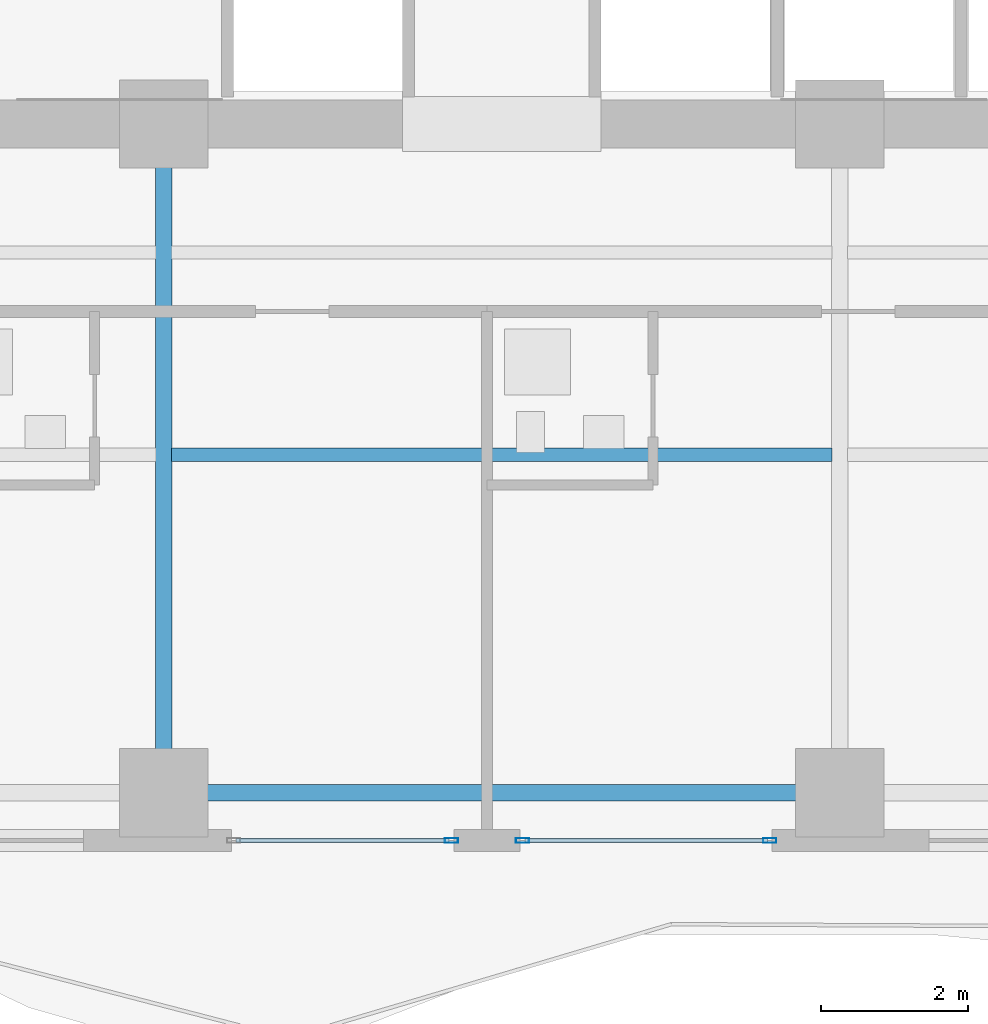
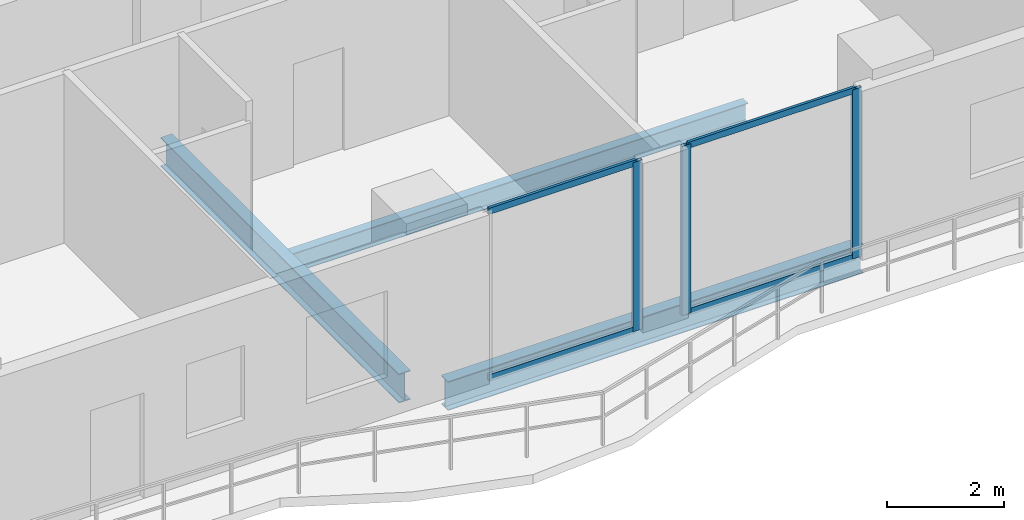
# One storey, part 6 of 33: 7 members, 3 beams, 2 elements without a shape of their own.
"""IFC4 building model written with IfcOpenShell, lengths in metres."""

import ifcopenshell
import ifcopenshell.guid

model = None  # the IFC model being written
_history = None  # IfcOwnerHistory: only IFC2X3 demands one
_inside = {}  # id of a spatial element -> (the spatial element, [elements in it])
_under = {}  # id of a project, library or spatial element -> (it, [spatial elements below it])
_declared = {}  # id of a project -> (the project, [libraries it declares])
_typed = {}  # id of a type object -> (the type object, [elements of that type])
_made_of = {}  # id of a material, layer set ... -> (it, [elements and type objects made of it])


def new_model(schema):
    """Start an empty IFC model of exactly this schema.

    Asked for "IFC4X3", IfcOpenShell would pick the latest addendum, in which some entities
    have other attributes; the version numbers below select the first issue.
    IFC2X3 requires an IfcOwnerHistory on every rooted entity: one is made here for all.
    """
    global model, _history
    if schema == "IFC4X3":
        model = ifcopenshell.file(schema_version=(4, 3, 0, 0))
    else:
        model = ifcopenshell.file(schema=schema)
    _inside.clear()
    _under.clear()
    _declared.clear()
    _typed.clear()
    _made_of.clear()
    _history = None
    if model.schema == "IFC2X3":
        org = make("IfcOrganization", Name="unknown")
        user = make(
            "IfcPersonAndOrganization",
            ThePerson=make("IfcPerson", FamilyName="unknown"),
            TheOrganization=org,
        )
        app = make(
            "IfcApplication",
            ApplicationDeveloper=org,
            Version="unknown",
            ApplicationFullName="unknown",
            ApplicationIdentifier="unknown",
        )
        _history = make(
            "IfcOwnerHistory",
            OwningUser=user,
            OwningApplication=app,
            ChangeAction="ADDED",
            CreationDate=0,
        )
    return model


def make(cls, **values):
    """One entity of the class cls with the attributes given. An attribute that is None is left unset."""
    return model.create_entity(
        cls, **{name: value for name, value in values.items() if value is not None}
    )


def rooted(cls, **values):
    """An entity with a GlobalId (a new one), such as an element, a storey or a relation."""
    return make(cls, GlobalId=ifcopenshell.guid.new(), OwnerHistory=_history, **values)


def si_unit(unit_type, name, prefix=None):
    """IfcSIUnit, for example si_unit("LENGTHUNIT", "METRE", prefix="MILLI")."""
    return make("IfcSIUnit", UnitType=unit_type, Prefix=prefix, Name=name)


def assignment(units):
    """IfcUnitAssignment: the units of a project."""
    return None if units is None else make("IfcUnitAssignment", Units=units)


def point(xyz):
    """IfcCartesianPoint."""
    return None if xyz is None else make("IfcCartesianPoint", Coordinates=xyz)


def direction(xyz):
    """IfcDirection."""
    return None if xyz is None else make("IfcDirection", DirectionRatios=xyz)


def frame(location, z_axis=None, x_axis=None):
    """IfcAxis2Placement3D, a coordinate frame: its origin and axes. An axis left out is left unset."""
    return make(
        "IfcAxis2Placement3D",
        Location=point(location),
        Axis=direction(z_axis),
        RefDirection=direction(x_axis),
    )


def frame_2d(location, x_axis=None):
    """IfcAxis2Placement2D, a coordinate frame in the plane: its origin and x axis."""
    return make(
        "IfcAxis2Placement2D", Location=point(location), RefDirection=direction(x_axis)
    )


def origin():
    """The frame at (0, 0, 0) with its axes left unset."""
    return frame((0.0, 0.0, 0.0))


def origin_2d():
    """The frame at (0, 0) in the plane with its x axis left unset."""
    return frame_2d((0.0, 0.0))


def place(relative_to, where):
    """IfcLocalPlacement: puts the frame where relative to a parent placement (None: the world)."""
    return make(
        "IfcLocalPlacement", PlacementRelTo=relative_to, RelativePlacement=where
    )


def context(
    kind, dimensions, precision=None, world=None, true_north=None, identifier=None
):
    """IfcGeometricRepresentationContext, for example the 3D "Model" context."""
    return make(
        "IfcGeometricRepresentationContext",
        ContextIdentifier=identifier,
        ContextType=kind,
        CoordinateSpaceDimension=dimensions,
        Precision=precision,
        WorldCoordinateSystem=world,
        TrueNorth=true_north,
    )


def subcontext(parent, identifier, kind, view, scale=None):
    """IfcGeometricRepresentationSubContext, for example "Body" below "Model"."""
    return make(
        "IfcGeometricRepresentationSubContext",
        ContextIdentifier=identifier,
        ContextType=kind,
        ParentContext=parent,
        TargetScale=scale,
        TargetView=view,
    )


def project(units=None, contexts=None):
    """IfcProject with its units and contexts."""
    return rooted(
        "IfcProject",
        Name="project",
        RepresentationContexts=contexts,
        UnitsInContext=assignment(units),
    )


def spatial(cls, under=None, at=None, **own):
    """A site, building, storey or space (cls), placed at a placement, below another one or the project."""
    s = rooted(cls, ObjectPlacement=at, **own)
    if under is not None:
        _under.setdefault(under.id(), (under, []))[1].append(s)
    return s


def profile(cls, at=None, kind="AREA", **sizes):
    """A parametric profile (cls). Its sizes go by their IFC names, for example OverallWidth=200.0."""
    return make(cls, ProfileType=kind, Position=at, **sizes)


def hollow_rectangle(**sizes):
    """IfcRectangleHollowProfileDef."""
    return profile("IfcRectangleHollowProfileDef", **sizes)


def i_section(**sizes):
    """IfcIShapeProfileDef."""
    return profile("IfcIShapeProfileDef", **sizes)


def extrude(swept, where, along, depth):
    """IfcExtrudedAreaSolid: the profile swept, set in the frame where, extruded along a direction by depth."""
    return make(
        "IfcExtrudedAreaSolid",
        SweptArea=swept,
        Position=where,
        ExtrudedDirection=direction(along),
        Depth=depth,
    )


def shape(context_of_items, identifier, shape_type, items):
    """IfcShapeRepresentation: the items that make up one representation, for example the "Body"."""
    return make(
        "IfcShapeRepresentation",
        ContextOfItems=context_of_items,
        RepresentationIdentifier=identifier,
        RepresentationType=shape_type,
        Items=items,
    )


def material(Name=None, Category=None):
    """IfcMaterial."""
    return make("IfcMaterial", Name=Name, Category=Category)


def layer(
    of_material, thickness, ventilated=None, Name=None, Category=None, Priority=None
):
    """IfcMaterialLayer: one layer of a wall or slab, of a material (None: an air gap)."""
    return make(
        "IfcMaterialLayer",
        Material=of_material,
        LayerThickness=thickness,
        IsVentilated=ventilated,
        Name=Name,
        Category=Category,
        Priority=Priority,
    )


def layer_set(layers, Name=None):
    """IfcMaterialLayerSet."""
    return make("IfcMaterialLayerSet", MaterialLayers=layers, LayerSetName=Name)


def material_profile(
    of_material, cross_section, Name=None, Category=None, Priority=None
):
    """IfcMaterialProfile: a cross section and its material."""
    return make(
        "IfcMaterialProfile",
        Name=Name,
        Material=of_material,
        Profile=cross_section,
        Priority=Priority,
        Category=Category,
    )


def profile_set(profiles, Name=None, composite=None):
    """IfcMaterialProfileSet."""
    return make(
        "IfcMaterialProfileSet",
        Name=Name,
        MaterialProfiles=profiles,
        CompositeProfile=composite,
    )


def made_of(thing, what):
    """Note that an element or type object is made of a material, layer set ...; save() writes the relation."""
    if what is not None:
        _made_of.setdefault(what.id(), (what, []))[1].append(thing)
    return thing


def type_object(cls, material=None, **own):
    """A type object (cls), such as IfcWallType, which elements share."""
    return made_of(rooted(cls, **own), material)


def element(
    cls,
    number,
    at=None,
    inside=None,
    cuts=None,
    type_object=None,
    material=None,
    context=None,
    identifier="Body",
    shape_type=None,
    held_by="IfcProductDefinitionShape",
    body=None,
    shapes=None,
    **own,
):
    """One element of the class cls, such as IfcWall. Its Tag is "e" and its number.

    at: its placement. inside: the storey or other place that contains it. cuts: it is an
    opening in that element (IfcRelVoidsElement). A single representation is given by context,
    identifier, shape_type and body (its items); several are given by shapes. held_by: the class
    of the entity that holds the representations. save() writes the other relations.
    """
    e = rooted(cls, Tag="e%d" % number, ObjectPlacement=at, **own)
    if body is not None:
        shapes = [shape(context, identifier, shape_type, body)]
    if shapes is not None:
        e.Representation = make(held_by, Representations=shapes)
    if inside is not None:
        _inside.setdefault(inside.id(), (inside, []))[1].append(e)
    if cuts is not None:
        rooted(
            "IfcRelVoidsElement", RelatingBuildingElement=cuts, RelatedOpeningElement=e
        )
    if type_object is not None:
        _typed.setdefault(type_object.id(), (type_object, []))[1].append(e)
    return made_of(e, material)


def aggregate(whole, parts):
    """IfcRelAggregates: a whole, such as a stair, and the parts it consists of."""
    return rooted("IfcRelAggregates", RelatingObject=whole, RelatedObjects=parts)


def save(model, path):
    """Write the relations noted so far, then the file.

    IfcRelAggregates (storeys below a building ...), IfcRelContainedInSpatialStructure (elements
    in a storey), IfcRelDefinesByType, IfcRelAssociatesMaterial and IfcRelDeclares: one each for
    every whole, place, type object, material and project.
    """
    for whole, parts in _under.values():
        aggregate(whole, parts)
    for where, things in _inside.values():
        rooted(
            "IfcRelContainedInSpatialStructure",
            RelatedElements=things,
            RelatingStructure=where,
        )
    for kind, things in _typed.values():
        rooted("IfcRelDefinesByType", RelatedObjects=things, RelatingType=kind)
    for what, things in _made_of.values():
        rooted("IfcRelAssociatesMaterial", RelatedObjects=things, RelatingMaterial=what)
    for by, libraries in _declared.values():
        rooted("IfcRelDeclares", RelatingContext=by, RelatedDefinitions=libraries)
    model.write(path)


model = new_model("IFC4")

# Units and contexts
model_context = context("Model", 3, precision=1e-05, world=origin(), true_north=direction((0.0, 1.0)))
body_context = subcontext(model_context, "Body", "Model", "MODEL_VIEW")
ifc_project = project(units=[si_unit("LENGTHUNIT", "METRE"), si_unit("AREAUNIT", "SQUARE_METRE"), si_unit("VOLUMEUNIT", "CUBIC_METRE"), si_unit("PLANEANGLEUNIT", "RADIAN"), si_unit("MASSUNIT", "GRAM", prefix="KILO")], contexts=[model_context])

# Site, building, storey
site_placement = place(None, origin())
site = spatial("IfcSite", under=ifc_project, at=site_placement, CompositionType="ELEMENT")
building_placement = place(site_placement, origin())
building = spatial("IfcBuilding", under=site, at=building_placement, Name="Zuhayl Quay Hotel", CompositionType="ELEMENT")
storey_placement = place(building_placement, frame((0.0, 0.0, 207.39990234375)))
storey = spatial("IfcBuildingStorey", under=building, at=storey_placement, Name="L52", CompositionType="ELEMENT", Elevation=207.39990234375)

# Beams
ifc_material_1 = material(Name="Steel ASTM A992 Grade 50", Category="steel")
ifc_material_profile_1 = material_profile(ifc_material_1, i_section(OverallWidth=0.22802734375, OverallDepth=0.60693359375, WebThickness=0.01123046875, FlangeThickness=0.017333984375, at=origin_2d()), Name="W24X76")
ifc_profile_set_1 = profile_set([ifc_material_profile_1], Name="Steel ASTM A992 Grade 50")
beam_type_1 = type_object("IfcBeamType", Name="BM_B3_W24X76", PredefinedType="BEAM", material=ifc_profile_set_1)
beam_1_placement = place(storey_placement, frame((-4.10009765625, -6.949951171875, -0.5234375), z_axis=(1.0, 0.0, 0.0), x_axis=(0.0, 1.0, 0.0)))
element("IfcBeam", 1, at=beam_1_placement, inside=storey, type_object=beam_type_1, Name="L52 Floor Beam RG_L52_02", PredefinedType="BEAM", context=body_context, shape_type="SweptSolid", body=[
    extrude(i_section(OverallWidth=0.22802734375, OverallDepth=0.60693359375, WebThickness=0.01123046875, FlangeThickness=0.017333984375, at=origin_2d()), origin(), (0.0, 0.0, 1.0), 8.2001953125),
])
beam_2_placement = place(storey_placement, frame((-4.60009765625, -6.449951171875, -0.5234375), z_axis=(0.0, 1.0, 0.0), x_axis=(-1.0, 0.0, 0.0)))
element("IfcBeam", 2, at=beam_2_placement, inside=storey, type_object=beam_type_1, Name="L52 Floor Beam FG_S_L52_2", PredefinedType="BEAM", context=body_context, shape_type="SweptSolid", body=[
    extrude(i_section(OverallWidth=0.22802734375, OverallDepth=0.60693359375, WebThickness=0.01123046875, FlangeThickness=0.017333984375, at=origin_2d()), origin(), (0.0, 0.0, 1.0), 8.14990234375),
])
ifc_material_profile_2 = material_profile(ifc_material_1, i_section(OverallWidth=0.177978515625, OverallDepth=0.406005859375, WebThickness=0.0078125, FlangeThickness=0.0126953125, at=origin_2d()), Name="W16X40")
ifc_profile_set_2 = profile_set([ifc_material_profile_2], Name="Steel ASTM A992 Grade 50")
beam_type_2 = type_object("IfcBeamType", Name="BM_J2B_W16X40", PredefinedType="JOIST", material=ifc_profile_set_2)
beam_3_placement = place(storey_placement, frame((-4.493896484375, -2.35009765625, -0.4228515625), z_axis=(1.0, 0.0, 0.0), x_axis=(0.0, 1.0, 0.0)))
element("IfcBeam", 3, at=beam_3_placement, inside=storey, type_object=beam_type_2, Name="L52 Floor Beam FJ_L52_7_2", PredefinedType="JOIST", context=body_context, shape_type="SweptSolid", body=[
    extrude(i_section(OverallWidth=0.177978515625, OverallDepth=0.406005859375, WebThickness=0.0078125, FlangeThickness=0.0126953125, at=origin_2d()), origin(), (0.0, 0.0, 1.0), 8.98779296875),
])

# Curtain wall, members
ifc_material_2 = material(Name="Anodised Aluminium 6063-T6", Category="aluminium")
ifc_layer = layer(ifc_material_2, 0.175048828125, Name="Anodised Aluminium 6063-T6", Category="aluminium")
ifc_layer_set = layer_set([ifc_layer], Name="Anodised Aluminium 6063-T6")
curtain_wall_type = type_object("IfcCurtainWallType", Name="CW_SYS_Z3", PredefinedType="USERDEFINED", material=ifc_layer_set)
curtain_wall_1_placement = place(storey_placement, origin())
curtain_wall_1 = element("IfcCurtainWall", 4, at=curtain_wall_1_placement, inside=storey, type_object=curtain_wall_type, Name="L52 Curtain Wall ENV_L52_S_CW3", ObjectType="UNITISED CURTAIN WALL", PredefinedType="USERDEFINED")
ifc_material_3 = material(Name="Black-anodised aluminium 6063-T6", Category="aluminium")
ifc_material_profile_3 = material_profile(ifc_material_3, hollow_rectangle(XDim=0.06494140625, YDim=0.179931640625, WallThickness=0.00341796875, at=origin_2d()), Name="ALU180X65")
ifc_profile_set_3 = profile_set([ifc_material_profile_3], Name="Black-anodised aluminium 6063-T6")
member_type_1 = type_object("IfcMemberType", Name="MB_CW_MUL_180", PredefinedType="MULLION", material=ifc_profile_set_3)
member_1_placement = place(storey_placement, frame((3.6474609375, -7.60009765625, 0.0), z_axis=(0.0, 0.0, 1.0), x_axis=(0.0, -1.0, 0.0)))
member_1 = element("IfcMember", 5, at=member_1_placement, type_object=member_type_1, Name="CW-Z3 mullion 1", PredefinedType="MULLION", context=body_context, shape_type="SweptSolid", body=[
    extrude(hollow_rectangle(XDim=0.06494140625, YDim=0.179931640625, WallThickness=0.00341796875, at=origin_2d()), origin(), (0.0, 0.0, 1.0), 3.530029296875),
])
member_2_placement = place(storey_placement, frame((0.282470703125, -7.60009765625, 0.0), z_axis=(0.0, 0.0, 1.0), x_axis=(0.0, -1.0, 0.0)))
member_2 = element("IfcMember", 6, at=member_2_placement, type_object=member_type_1, Name="CW-Z3 mullion 2", PredefinedType="MULLION", context=body_context, shape_type="SweptSolid", body=[
    extrude(hollow_rectangle(XDim=0.06494140625, YDim=0.179931640625, WallThickness=0.00341796875, at=origin_2d()), origin(), (0.0, 0.0, 1.0), 3.530029296875),
])

# Curtain wall, member
curtain_wall_2_placement = place(storey_placement, origin())
curtain_wall_2 = element("IfcCurtainWall", 7, at=curtain_wall_2_placement, inside=storey, type_object=curtain_wall_type, Name="L52 Curtain Wall ENV_L52_S_CW4", ObjectType="UNITISED CURTAIN WALL", PredefinedType="USERDEFINED")
member_3_placement = place(storey_placement, frame((-0.6826171875, -7.60009765625, 0.0), z_axis=(0.0, 0.0, 1.0), x_axis=(0.0, -1.0, 0.0)))
member_3 = element("IfcMember", 8, at=member_3_placement, type_object=member_type_1, Name="CW-Z3 mullion 1", PredefinedType="MULLION", context=body_context, shape_type="SweptSolid", body=[
    extrude(hollow_rectangle(XDim=0.06494140625, YDim=0.179931640625, WallThickness=0.00341796875, at=origin_2d()), origin(), (0.0, 0.0, 1.0), 3.530029296875),
])

# Member
ifc_material_profile_4 = material_profile(ifc_material_3, hollow_rectangle(XDim=0.054931640625, YDim=0.1298828125, WallThickness=0.0029296875, at=origin_2d()), Name="ALU130X55")
ifc_profile_set_4 = profile_set([ifc_material_profile_4], Name="Black-anodised aluminium 6063-T6")
member_type_2 = type_object("IfcMemberType", Name="MB_CW_TRN_130", PredefinedType="USERDEFINED", material=ifc_profile_set_4)
member_4_placement = place(storey_placement, frame((3.614990234375, -7.60009765625, 0.027587890625), z_axis=(-1.0, 0.0, 0.0), x_axis=(0.0, -1.0, 0.0)))
member_4 = element("IfcMember", 9, at=member_4_placement, type_object=member_type_2, Name="CW-Z3 transom 1.1", ObjectType="TRANSOM", PredefinedType="USERDEFINED", context=body_context, shape_type="SweptSolid", body=[
    extrude(hollow_rectangle(XDim=0.054931640625, YDim=0.1298828125, WallThickness=0.0029296875, at=origin_2d()), origin(), (0.0, 0.0, 1.0), 3.300048828125),
])

member_5_placement = place(storey_placement, frame((3.614990234375, -7.60009765625, 3.502685546875), z_axis=(-1.0, 0.0, 0.0), x_axis=(0.0, -1.0, 0.0)))
member_5 = element("IfcMember", 10, at=member_5_placement, type_object=member_type_2, Name="CW-Z3 transom 1.2", ObjectType="TRANSOM", PredefinedType="USERDEFINED", context=body_context, shape_type="SweptSolid", body=[
    extrude(hollow_rectangle(XDim=0.054931640625, YDim=0.1298828125, WallThickness=0.0029296875, at=origin_2d()), origin(), (0.0, 0.0, 1.0), 3.300048828125),
])

aggregate(curtain_wall_1, [member_1, member_2, member_4, member_5])

member_6_placement = place(storey_placement, frame((-0.715087890625, -7.60009765625, 0.027587890625), z_axis=(-1.0, 0.0, 0.0), x_axis=(0.0, -1.0, 0.0)))
member_6 = element("IfcMember", 11, at=member_6_placement, type_object=member_type_2, Name="CW-Z3 transom 1.1", ObjectType="TRANSOM", PredefinedType="USERDEFINED", context=body_context, shape_type="SweptSolid", body=[
    extrude(hollow_rectangle(XDim=0.054931640625, YDim=0.1298828125, WallThickness=0.0029296875, at=origin_2d()), origin(), (0.0, 0.0, 1.0), 2.89990234375),
])

member_7_placement = place(storey_placement, frame((-0.715087890625, -7.60009765625, 3.502685546875), z_axis=(-1.0, 0.0, 0.0), x_axis=(0.0, -1.0, 0.0)))
member_7 = element("IfcMember", 12, at=member_7_placement, type_object=member_type_2, Name="CW-Z3 transom 1.2", ObjectType="TRANSOM", PredefinedType="USERDEFINED", context=body_context, shape_type="SweptSolid", body=[
    extrude(hollow_rectangle(XDim=0.054931640625, YDim=0.1298828125, WallThickness=0.0029296875, at=origin_2d()), origin(), (0.0, 0.0, 1.0), 2.89990234375),
])

aggregate(curtain_wall_2, [member_3, member_6, member_7])

save(model, "model.ifc")
